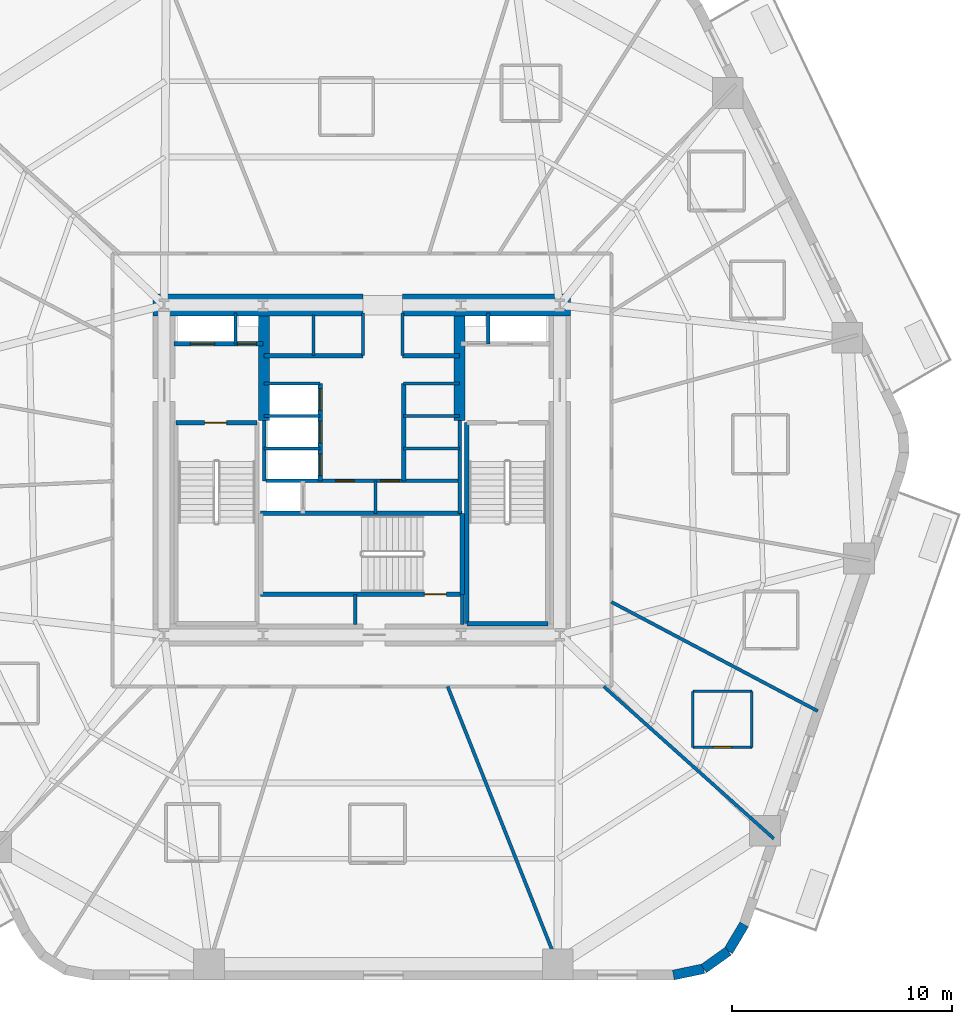
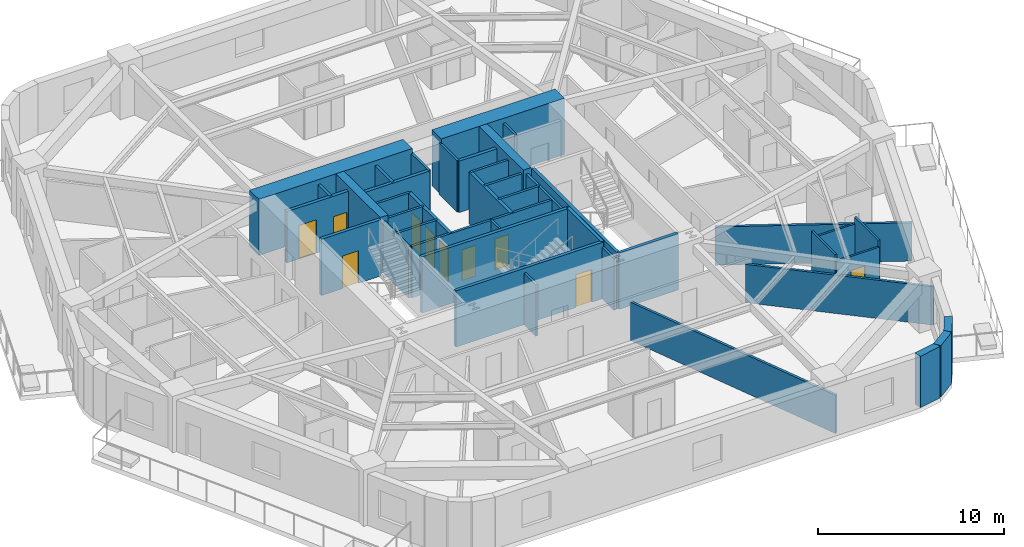
# One storey, part 4 of 10: 42 walls, 10 doors, 10 openings.
"""IFC4 building model written with IfcOpenShell, lengths in metres."""

import ifcopenshell
import ifcopenshell.guid

model = None  # the IFC model being written
_history = None  # IfcOwnerHistory: only IFC2X3 demands one
_inside = {}  # id of a spatial element -> (the spatial element, [elements in it])
_under = {}  # id of a project, library or spatial element -> (it, [spatial elements below it])
_declared = {}  # id of a project -> (the project, [libraries it declares])
_typed = {}  # id of a type object -> (the type object, [elements of that type])
_made_of = {}  # id of a material, layer set ... -> (it, [elements and type objects made of it])


def new_model(schema):
    """Start an empty IFC model of exactly this schema.

    Asked for "IFC4X3", IfcOpenShell would pick the latest addendum, in which some entities
    have other attributes; the version numbers below select the first issue.
    IFC2X3 requires an IfcOwnerHistory on every rooted entity: one is made here for all.
    """
    global model, _history
    if schema == "IFC4X3":
        model = ifcopenshell.file(schema_version=(4, 3, 0, 0))
    else:
        model = ifcopenshell.file(schema=schema)
    _inside.clear()
    _under.clear()
    _declared.clear()
    _typed.clear()
    _made_of.clear()
    _history = None
    if model.schema == "IFC2X3":
        org = make("IfcOrganization", Name="unknown")
        user = make(
            "IfcPersonAndOrganization",
            ThePerson=make("IfcPerson", FamilyName="unknown"),
            TheOrganization=org,
        )
        app = make(
            "IfcApplication",
            ApplicationDeveloper=org,
            Version="unknown",
            ApplicationFullName="unknown",
            ApplicationIdentifier="unknown",
        )
        _history = make(
            "IfcOwnerHistory",
            OwningUser=user,
            OwningApplication=app,
            ChangeAction="ADDED",
            CreationDate=0,
        )
    return model


def make(cls, **values):
    """One entity of the class cls with the attributes given. An attribute that is None is left unset."""
    return model.create_entity(
        cls, **{name: value for name, value in values.items() if value is not None}
    )


def rooted(cls, **values):
    """An entity with a GlobalId (a new one), such as an element, a storey or a relation."""
    return make(cls, GlobalId=ifcopenshell.guid.new(), OwnerHistory=_history, **values)


def si_unit(unit_type, name, prefix=None):
    """IfcSIUnit, for example si_unit("LENGTHUNIT", "METRE", prefix="MILLI")."""
    return make("IfcSIUnit", UnitType=unit_type, Prefix=prefix, Name=name)


def assignment(units):
    """IfcUnitAssignment: the units of a project."""
    return None if units is None else make("IfcUnitAssignment", Units=units)


def point(xyz):
    """IfcCartesianPoint."""
    return None if xyz is None else make("IfcCartesianPoint", Coordinates=xyz)


def direction(xyz):
    """IfcDirection."""
    return None if xyz is None else make("IfcDirection", DirectionRatios=xyz)


def frame(location, z_axis=None, x_axis=None):
    """IfcAxis2Placement3D, a coordinate frame: its origin and axes. An axis left out is left unset."""
    return make(
        "IfcAxis2Placement3D",
        Location=point(location),
        Axis=direction(z_axis),
        RefDirection=direction(x_axis),
    )


def frame_2d(location, x_axis=None):
    """IfcAxis2Placement2D, a coordinate frame in the plane: its origin and x axis."""
    return make(
        "IfcAxis2Placement2D", Location=point(location), RefDirection=direction(x_axis)
    )


def origin():
    """The frame at (0, 0, 0) with its axes left unset."""
    return frame((0.0, 0.0, 0.0))


def place(relative_to, where):
    """IfcLocalPlacement: puts the frame where relative to a parent placement (None: the world)."""
    return make(
        "IfcLocalPlacement", PlacementRelTo=relative_to, RelativePlacement=where
    )


def context(
    kind, dimensions, precision=None, world=None, true_north=None, identifier=None
):
    """IfcGeometricRepresentationContext, for example the 3D "Model" context."""
    return make(
        "IfcGeometricRepresentationContext",
        ContextIdentifier=identifier,
        ContextType=kind,
        CoordinateSpaceDimension=dimensions,
        Precision=precision,
        WorldCoordinateSystem=world,
        TrueNorth=true_north,
    )


def subcontext(parent, identifier, kind, view, scale=None):
    """IfcGeometricRepresentationSubContext, for example "Body" below "Model"."""
    return make(
        "IfcGeometricRepresentationSubContext",
        ContextIdentifier=identifier,
        ContextType=kind,
        ParentContext=parent,
        TargetScale=scale,
        TargetView=view,
    )


def project(units=None, contexts=None):
    """IfcProject with its units and contexts."""
    return rooted(
        "IfcProject",
        Name="project",
        RepresentationContexts=contexts,
        UnitsInContext=assignment(units),
    )


def spatial(cls, under=None, at=None, **own):
    """A site, building, storey or space (cls), placed at a placement, below another one or the project."""
    s = rooted(cls, ObjectPlacement=at, **own)
    if under is not None:
        _under.setdefault(under.id(), (under, []))[1].append(s)
    return s


def profile(cls, at=None, kind="AREA", **sizes):
    """A parametric profile (cls). Its sizes go by their IFC names, for example OverallWidth=200.0."""
    return make(cls, ProfileType=kind, Position=at, **sizes)


def rectangle(**sizes):
    """IfcRectangleProfileDef."""
    return profile("IfcRectangleProfileDef", **sizes)


def extrude(swept, where, along, depth):
    """IfcExtrudedAreaSolid: the profile swept, set in the frame where, extruded along a direction by depth."""
    return make(
        "IfcExtrudedAreaSolid",
        SweptArea=swept,
        Position=where,
        ExtrudedDirection=direction(along),
        Depth=depth,
    )


def shape(context_of_items, identifier, shape_type, items):
    """IfcShapeRepresentation: the items that make up one representation, for example the "Body"."""
    return make(
        "IfcShapeRepresentation",
        ContextOfItems=context_of_items,
        RepresentationIdentifier=identifier,
        RepresentationType=shape_type,
        Items=items,
    )


def material(Name=None, Category=None):
    """IfcMaterial."""
    return make("IfcMaterial", Name=Name, Category=Category)


def layer(
    of_material, thickness, ventilated=None, Name=None, Category=None, Priority=None
):
    """IfcMaterialLayer: one layer of a wall or slab, of a material (None: an air gap)."""
    return make(
        "IfcMaterialLayer",
        Material=of_material,
        LayerThickness=thickness,
        IsVentilated=ventilated,
        Name=Name,
        Category=Category,
        Priority=Priority,
    )


def layer_set(layers, Name=None):
    """IfcMaterialLayerSet."""
    return make("IfcMaterialLayerSet", MaterialLayers=layers, LayerSetName=Name)


def made_of(thing, what):
    """Note that an element or type object is made of a material, layer set ...; save() writes the relation."""
    if what is not None:
        _made_of.setdefault(what.id(), (what, []))[1].append(thing)
    return thing


def type_object(cls, material=None, **own):
    """A type object (cls), such as IfcWallType, which elements share."""
    return made_of(rooted(cls, **own), material)


def element(
    cls,
    number,
    at=None,
    inside=None,
    cuts=None,
    type_object=None,
    material=None,
    context=None,
    identifier="Body",
    shape_type=None,
    held_by="IfcProductDefinitionShape",
    body=None,
    shapes=None,
    **own,
):
    """One element of the class cls, such as IfcWall. Its Tag is "e" and its number.

    at: its placement. inside: the storey or other place that contains it. cuts: it is an
    opening in that element (IfcRelVoidsElement). A single representation is given by context,
    identifier, shape_type and body (its items); several are given by shapes. held_by: the class
    of the entity that holds the representations. save() writes the other relations.
    """
    e = rooted(cls, Tag="e%d" % number, ObjectPlacement=at, **own)
    if body is not None:
        shapes = [shape(context, identifier, shape_type, body)]
    if shapes is not None:
        e.Representation = make(held_by, Representations=shapes)
    if inside is not None:
        _inside.setdefault(inside.id(), (inside, []))[1].append(e)
    if cuts is not None:
        rooted(
            "IfcRelVoidsElement", RelatingBuildingElement=cuts, RelatedOpeningElement=e
        )
    if type_object is not None:
        _typed.setdefault(type_object.id(), (type_object, []))[1].append(e)
    return made_of(e, material)


def fill(opening, filler):
    """IfcRelFillsElement: the door or window that sits in an opening."""
    return rooted(
        "IfcRelFillsElement",
        RelatingOpeningElement=opening,
        RelatedBuildingElement=filler,
    )


def aggregate(whole, parts):
    """IfcRelAggregates: a whole, such as a stair, and the parts it consists of."""
    return rooted("IfcRelAggregates", RelatingObject=whole, RelatedObjects=parts)


def save(model, path):
    """Write the relations noted so far, then the file.

    IfcRelAggregates (storeys below a building ...), IfcRelContainedInSpatialStructure (elements
    in a storey), IfcRelDefinesByType, IfcRelAssociatesMaterial and IfcRelDeclares: one each for
    every whole, place, type object, material and project.
    """
    for whole, parts in _under.values():
        aggregate(whole, parts)
    for where, things in _inside.values():
        rooted(
            "IfcRelContainedInSpatialStructure",
            RelatedElements=things,
            RelatingStructure=where,
        )
    for kind, things in _typed.values():
        rooted("IfcRelDefinesByType", RelatedObjects=things, RelatingType=kind)
    for what, things in _made_of.values():
        rooted("IfcRelAssociatesMaterial", RelatedObjects=things, RelatingMaterial=what)
    for by, libraries in _declared.values():
        rooted("IfcRelDeclares", RelatingContext=by, RelatedDefinitions=libraries)
    model.write(path)


model = new_model("IFC4")

# Units and contexts
model_context = context("Model", 3, precision=1e-05, world=origin(), true_north=direction((0.0, 1.0)))
body_context = subcontext(model_context, "Body", "Model", "MODEL_VIEW")
ifc_project = project(units=[si_unit("LENGTHUNIT", "METRE"), si_unit("AREAUNIT", "SQUARE_METRE"), si_unit("VOLUMEUNIT", "CUBIC_METRE"), si_unit("PLANEANGLEUNIT", "RADIAN"), si_unit("MASSUNIT", "GRAM", prefix="KILO")], contexts=[model_context])

# Site, building, storey
site_placement = place(None, origin())
site = spatial("IfcSite", under=ifc_project, at=site_placement, CompositionType="ELEMENT")
building_placement = place(site_placement, origin())
building = spatial("IfcBuilding", under=site, at=building_placement, Name="Kilnhurst Terrace Hotel", CompositionType="ELEMENT")
storey_placement = place(building_placement, frame((0.0, 0.0, 82.300048828125)))
storey = spatial("IfcBuildingStorey", under=building, at=storey_placement, Name="L19", CompositionType="ELEMENT", Elevation=82.300048828125)

# Walls
ifc_material_1 = material(Name="Precast concrete C40/50", Category="concrete")
ifc_layer_1 = layer(ifc_material_1, 0.449951171875, Name="Precast concrete C40/50")
ifc_layer_set_1 = layer_set([ifc_layer_1], Name="Precast concrete C40/50")
wall_type_1 = type_object("IfcWallType", Name="WL-BRK-450", PredefinedType="SOLIDWALL", material=ifc_layer_set_1)
wall_1_placement = place(storey_placement, frame((14.168212890625, -22.97509765625, 0.0), z_axis=(0.0, 0.0, 1.0), x_axis=(0.978770371074, 0.204959900243, 0.0)))
element("IfcWall", 1, at=wall_1_placement, inside=storey, type_object=wall_type_1, Name="L19 Rounded Corner Brick Wall C2.1", PredefinedType="SOLIDWALL", context=body_context, shape_type="SweptSolid", body=[
    extrude(rectangle(XDim=1.405517578125, YDim=0.449951171875, at=frame_2d((0.70263671875, 0.0))), origin(), (0.0, 0.0, 1.0), 3.3798828125),
])
wall_2_placement = place(storey_placement, frame((15.5439453125, -22.68701171875, 0.0), z_axis=(0.0, 0.0, 1.0), x_axis=(0.814210854316, 0.580569276412, 0.0)))
element("IfcWall", 2, at=wall_2_placement, inside=storey, type_object=wall_type_1, Name="L19 Rounded Corner Brick Wall C2.2", PredefinedType="SOLIDWALL", context=body_context, shape_type="SweptSolid", body=[
    extrude(rectangle(XDim=1.38134765625, YDim=0.449951171875, at=frame_2d((0.690673828125, 0.0))), origin(), (0.0, 0.0, 1.0), 3.3798828125),
])
wall_3_placement = place(storey_placement, frame((16.668701171875, -21.885009765625, 0.0), z_axis=(0.0, 0.0, 1.0), x_axis=(0.512936712947, 0.858426425799, 0.0)))
element("IfcWall", 3, at=wall_3_placement, inside=storey, type_object=wall_type_1, Name="L19 Rounded Corner Brick Wall C2.3", PredefinedType="SOLIDWALL", context=body_context, shape_type="SweptSolid", body=[
    extrude(rectangle(XDim=1.405517578125, YDim=0.449951171875, at=frame_2d((0.70263671875, 0.0))), origin(), (0.0, 0.0, 1.0), 3.3798828125),
])
ifc_material_2 = material(Name="Concrete C80/95", Category="concrete")
ifc_layer_2 = layer(ifc_material_2, 1.0, Name="Concrete C80/95")
ifc_layer_set_2 = layer_set([ifc_layer_2], Name="Concrete C80/95")
wall_type_2 = type_object("IfcWallType", Name="WL-CORE-1000", PredefinedType="SHEAR", material=ifc_layer_set_2)
wall_4_placement = place(storey_placement, frame((-9.5, 7.5, 0.0), z_axis=(0.0, 0.0, 1.0), x_axis=(1.0, 0.0, 0.0)))
element("IfcWall", 4, at=wall_4_placement, inside=storey, type_object=wall_type_2, Name="L19 Core North West Shear Wall", PredefinedType="SHEAR", context=body_context, shape_type="SweptSolid", body=[
    extrude(rectangle(XDim=9.550048828125, YDim=1.0, at=frame_2d((4.77490234375, 0.0))), origin(), (0.0, 0.0, 1.0), 3.699951171875),
])
wall_5_placement = place(storey_placement, frame((1.85009765625, 7.5, 0.0), z_axis=(0.0, 0.0, 1.0), x_axis=(1.0, 0.0, 0.0)))
element("IfcWall", 5, at=wall_5_placement, inside=storey, type_object=wall_type_2, Name="L19 Core North East Shear Wall", PredefinedType="SHEAR", context=body_context, shape_type="SweptSolid", body=[
    extrude(rectangle(XDim=7.64990234375, YDim=1.0, at=frame_2d((3.824951171875, 0.0))), origin(), (0.0, 0.0, 1.0), 3.699951171875),
])
ifc_material_3 = material(Name="Concrete C60/75", Category="concrete")
ifc_layer_3 = layer(ifc_material_3, 0.5, Name="Concrete C60/75")
ifc_layer_set_3 = layer_set([ifc_layer_3], Name="Concrete C60/75")
wall_type_3 = type_object("IfcWallType", Name="WL-CORE-WEB-500", PredefinedType="SHEAR", material=ifc_layer_set_3)
for number, where, z_axis, x_axis, name in (
    (6, (-4.449951171875, 2.25, 0.0), (0.0, 0.0, 1.0), (0.0, 1.0, 0.0), "L19 Core Internal West Shear Web"),
    (7, (4.449951171875, 2.25, 0.0), (0.0, 0.0, 1.0), (0.0, 1.0, 0.0), "L19 Core Internal East Shear Web"),
):
    element("IfcWall", number, at=place(storey_placement, frame(where, z_axis=z_axis, x_axis=x_axis)), inside=storey, type_object=wall_type_3, Name=name, PredefinedType="SHEAR", context=body_context, shape_type="SweptSolid", body=[
        extrude(rectangle(XDim=4.75, YDim=0.5, at=frame_2d((2.375, 0.0))), origin(), (0.0, 0.0, 1.0), 3.699951171875),
    ])
ifc_material_4 = material(Name="STC-58 Acoustic Twin-Frame Guestroom Demising Partition")
ifc_layer_4 = layer(ifc_material_4, 0.14990234375, Name="STC-58 Acoustic Twin-Frame Guestroom Demising Partition")
ifc_layer_set_4 = layer_set([ifc_layer_4], Name="STC-58 Acoustic Twin-Frame Guestroom Demising Partition")
wall_type_4 = type_object("IfcWallType", Name="WL-DEM-150", PredefinedType="PARTITIONING", material=ifc_layer_set_4)
wall_6_placement = place(storey_placement, frame((3.90185546875, -9.85009765625, 0.0), z_axis=(0.0, 0.0, 1.0), x_axis=(0.36828765711, -0.929711891728, 0.0)))
element("IfcWall", 8, at=wall_6_placement, inside=storey, type_object=wall_type_4, Name="L19 Interior Wall WL-L19-DEM-COL10-15-1", PredefinedType="PARTITIONING", context=body_context, shape_type="SweptSolid", body=[
    extrude(rectangle(XDim=14.1171875, YDim=0.14990234375, at=frame_2d((7.05859375, 0.0))), origin(), (0.0, 0.0, 1.0), 2.52001953125),
])
wall_7_placement = place(storey_placement, frame((11.006591796875, -9.85009765625, 0.0), z_axis=(0.0, 0.0, 1.0), x_axis=(0.745177305978, -0.666866390407, 0.0)))
element("IfcWall", 9, at=wall_7_placement, inside=storey, type_object=wall_type_4, Name="L19 Interior Wall WL-L19-DEM-COL11-16-1", PredefinedType="PARTITIONING", context=body_context, shape_type="SweptSolid", body=[
    extrude(rectangle(XDim=10.375244140625, YDim=0.14990234375, at=frame_2d((5.1875, 0.0))), origin(), (0.0, 0.0, 1.0), 2.52001953125),
])
wall_8_placement = place(storey_placement, frame((11.35009765625, -6.00146484375, 0.0), z_axis=(0.0, 0.0, 1.0), x_axis=(0.884022077319, -0.467445148453, 0.0)))
element("IfcWall", 10, at=wall_8_placement, inside=storey, type_object=wall_type_4, Name="L19 Interior Wall WL-L19-DEM-MID11-17-1", PredefinedType="PARTITIONING", context=body_context, shape_type="SweptSolid", body=[
    extrude(rectangle(XDim=10.621337890625, YDim=0.14990234375, at=frame_2d((5.310546875, 0.0))), origin(), (0.0, 0.0, 1.0), 2.52001953125),
])
ifc_material_5 = material(Name="120 mm Moisture-Resistant Tile-Backed Bathroom Partition")
ifc_layer_5 = layer(ifc_material_5, 0.1201171875, Name="120 mm Moisture-Resistant Tile-Backed Bathroom Partition")
ifc_layer_set_5 = layer_set([ifc_layer_5], Name="120 mm Moisture-Resistant Tile-Backed Bathroom Partition")
wall_type_5 = type_object("IfcWallType", Name="WL-PART-120", PredefinedType="PARTITIONING", material=ifc_layer_set_5)
wall_9_placement = place(storey_placement, frame((0.6201171875, -1.971923828125, 0.0), z_axis=(0.0, 0.0, 1.0), x_axis=(0.0, 1.0, 0.0)))
element("IfcWall", 11, at=wall_9_placement, inside=storey, type_object=wall_type_5, Name="L19 Interior Wall WL-L19-BOH-C1", PredefinedType="PARTITIONING", context=body_context, shape_type="SweptSolid", body=[
    extrude(rectangle(XDim=1.471923828125, YDim=0.1201171875, at=frame_2d((0.73583984375, 0.0))), origin(), (0.0, 0.0, 1.0), 3.3798828125),
])

# Wall, opening, door
wall_10_placement = place(storey_placement, frame((15.05810546875, -12.612060546875, 0.0), z_axis=(0.0, 0.0, 1.0), x_axis=(1.0, 0.0, 0.0)))
wall_10 = element("IfcWall", 12, at=wall_10_placement, inside=storey, type_object=wall_type_5, Name="L19 Interior Wall WL-L19-BTH-16-1", PredefinedType="PARTITIONING", context=body_context, shape_type="SweptSolid", body=[
    extrude(rectangle(XDim=2.679931640625, YDim=0.1201171875, at=frame_2d((1.33984375, 0.0))), origin(), (0.0, 0.0, 1.0), 2.9521484375),
])
opening_1_placement = place(wall_10_placement, frame((0.9150390625, 0.0, 0.0)))
opening_1 = element("IfcOpeningElement", 13, at=opening_1_placement, cuts=wall_10, Name="Opening D-08A", PredefinedType="OPENING", context=body_context, shape_type="SweptSolid", body=[
    extrude(rectangle(XDim=0.85009765625, YDim=2.030029296875, at=frame_2d((0.425048828125, 1.01513671875))), frame((0.0, 0.070068359375, 0.0), z_axis=(0.0, -1.0, 0.0), x_axis=(1.0, 0.0, 0.0)), (0.0, 0.0, 1.0), 0.14013671875),
])
ifc_material_6 = material(Name="Moisture-Resistant Lacquered En-suite Bathroom Door")
door_type_1 = type_object("IfcDoorType", Name="DR-INT-850", OperationType="NOTDEFINED", PredefinedType="DOOR", material=ifc_material_6)
door_1_placement = place(opening_1_placement, origin())
door_1 = element("IfcDoor", 14, at=door_1_placement, inside=storey, type_object=door_type_1, Name="L19 En-suite Bathroom Door 16", OperationType="SINGLE_SWING_LEFT", OverallHeight=2.030029296875, OverallWidth=0.85009765625, PredefinedType="DOOR", context=body_context, shape_type="SweptSolid", body=[
    extrude(rectangle(XDim=0.85009765625, YDim=2.030029296875, at=frame_2d((0.425048828125, 1.01513671875))), frame((0.0, 0.02490234375, 0.0), z_axis=(0.0, -1.0, 0.0), x_axis=(1.0, 0.0, 0.0)), (0.0, 0.0, 1.0), 0.050048828125),
])
fill(opening_1, door_1)

# Walls
wall_11_placement = place(storey_placement, frame((17.738037109375, -12.612060546875, 0.0), z_axis=(0.0, 0.0, 1.0), x_axis=(0.0, 1.0, 0.0)))
element("IfcWall", 15, at=wall_11_placement, inside=storey, type_object=wall_type_5, Name="L19 Interior Wall WL-L19-BTH-16-2", PredefinedType="PARTITIONING", context=body_context, shape_type="SweptSolid", body=[
    extrude(rectangle(XDim=2.5400390625, YDim=0.1201171875, at=frame_2d((1.27001953125, 0.0))), origin(), (0.0, 0.0, 1.0), 3.3798828125),
])
wall_12_placement = place(storey_placement, frame((17.738037109375, -10.072021484375, 0.0), z_axis=(0.0, 0.0, 1.0), x_axis=(-1.0, 0.0, 0.0)))
element("IfcWall", 16, at=wall_12_placement, inside=storey, type_object=wall_type_5, Name="L19 Interior Wall WL-L19-BTH-16-3", PredefinedType="PARTITIONING", context=body_context, shape_type="SweptSolid", body=[
    extrude(rectangle(XDim=2.679931640625, YDim=0.1201171875, at=frame_2d((1.33984375, 0.0))), origin(), (0.0, 0.0, 1.0), 2.9521484375),
])
wall_13_placement = place(storey_placement, frame((15.05810546875, -10.072021484375, 0.0), z_axis=(0.0, 0.0, 1.0), x_axis=(0.0, -1.0, 0.0)))
element("IfcWall", 17, at=wall_13_placement, inside=storey, type_object=wall_type_5, Name="L19 Interior Wall WL-L19-BTH-16-4", PredefinedType="PARTITIONING", context=body_context, shape_type="SweptSolid", body=[
    extrude(rectangle(XDim=2.5400390625, YDim=0.1201171875, at=frame_2d((1.27001953125, 0.0))), origin(), (0.0, 0.0, 1.0), 3.3798828125),
])
ifc_material_7 = material(Name="Fire-Rated Gypsum Shaftliner Assembly")
ifc_layer_6 = layer(ifc_material_7, 0.14990234375, Name="Fire-Rated Gypsum Shaftliner Assembly")
ifc_layer_set_6 = layer_set([ifc_layer_6], Name="Fire-Rated Gypsum Shaftliner Assembly")
wall_type_6 = type_object("IfcWallType", Name="WL-SHAFT-150", PredefinedType="PARTITIONING", material=ifc_layer_set_6)
for number, where, z_axis, x_axis, name in (
    (18, (-0.300048828125, -7.02001953125, 0.0), (0.0, 0.0, 1.0), (0.0, 1.0, 0.0), "L19 Interior Wall WL-L19-ST3-PSGW"),
    (19, (4.55810546875, -7.02001953125, 0.0), (0.0, 0.0, 1.0), (0.0, 1.0, 0.0), "L19 Interior Wall WL-L19-ST3-PSGE"),
):
    element("IfcWall", number, at=place(storey_placement, frame(where, z_axis=z_axis, x_axis=x_axis)), inside=storey, type_object=wall_type_6, Name=name, PredefinedType="PARTITIONING", context=body_context, shape_type="SweptSolid", body=[
        extrude(rectangle(XDim=1.362060546875, YDim=0.14990234375, at=frame_2d((0.68115234375, 0.0))), origin(), (0.0, 0.0, 1.0), 3.3798828125),
    ])
for number, where, z_axis, x_axis, name in (
    (20, (-5.75, 5.739990234375, 0.0), (0.0, 0.0, 1.0), (0.0, 1.0, 0.0), "L19 Interior Wall WL-L19-RIS1-DIV"),
    (21, (5.75, 5.739990234375, 0.0), (0.0, 0.0, 1.0), (0.0, 1.0, 0.0), "L19 Interior Wall WL-L19-RIS2-DIV"),
):
    element("IfcWall", number, at=place(storey_placement, frame(where, z_axis=z_axis, x_axis=x_axis)), inside=storey, type_object=wall_type_6, Name=name, PredefinedType="PARTITIONING", context=body_context, shape_type="SweptSolid", body=[
        extrude(rectangle(XDim=1.409912109375, YDim=0.14990234375, at=frame_2d((0.705078125, 0.0))), origin(), (0.0, 0.0, 1.0), 3.3798828125),
    ])
wall_14_placement = place(storey_placement, frame((-2.199951171875, 5.199951171875, 0.0), z_axis=(0.0, 0.0, 1.0), x_axis=(0.0, 1.0, 0.0)))
element("IfcWall", 22, at=wall_14_placement, inside=storey, type_object=wall_type_6, Name="L19 Interior Wall WL-L19-HR-DIV1", PredefinedType="PARTITIONING", context=body_context, shape_type="SweptSolid", body=[
    extrude(rectangle(XDim=1.85009765625, YDim=0.14990234375, at=frame_2d((0.925048828125, 0.0))), origin(), (0.0, 0.0, 1.0), 3.3798828125),
])
for number, where, z_axis, x_axis, name in (
    (23, (0.050048828125, 5.199951171875, 0.0), (0.0, 0.0, 1.0), (0.0, 1.0, 0.0), "L19 Interior Wall WL-L19-HR-PORTAL-W"),
    (24, (1.85009765625, 5.199951171875, 0.0), (0.0, 0.0, 1.0), (0.0, 1.0, 0.0), "L19 Interior Wall WL-L19-HR-PORTAL-E"),
):
    element("IfcWall", number, at=place(storey_placement, frame(where, z_axis=z_axis, x_axis=x_axis)), inside=storey, type_object=wall_type_6, Name=name, PredefinedType="PARTITIONING", context=body_context, shape_type="SweptSolid", body=[
        extrude(rectangle(XDim=1.949951171875, YDim=0.14990234375, at=frame_2d((0.97509765625, 0.0))), origin(), (0.0, 0.0, 1.0), 3.3798828125),
    ])
wall_15_placement = place(storey_placement, frame((-4.449951171875, -0.5, 0.0), z_axis=(0.0, 0.0, 1.0), x_axis=(0.0, 1.0, 0.0)))
element("IfcWall", 25, at=wall_15_placement, inside=storey, type_object=wall_type_6, Name="L19 Interior Wall WL-L19-XLOB-W", PredefinedType="PARTITIONING", context=body_context, shape_type="SweptSolid", body=[
    extrude(rectangle(XDim=2.75, YDim=0.14990234375, at=frame_2d((1.375, 0.0))), origin(), (0.0, 0.0, 1.0), 3.3798828125),
])
wall_16_placement = place(storey_placement, frame((4.449951171875, -1.971923828125, 0.0), z_axis=(0.0, 0.0, 1.0), x_axis=(0.0, 1.0, 0.0)))
element("IfcWall", 26, at=wall_16_placement, inside=storey, type_object=wall_type_6, Name="L19 Interior Wall WL-L19-XLOB-E", PredefinedType="PARTITIONING", context=body_context, shape_type="SweptSolid", body=[
    extrude(rectangle(XDim=4.221923828125, YDim=0.14990234375, at=frame_2d((2.11083984375, 0.0))), origin(), (0.0, 0.0, 1.0), 3.3798828125),
])
for number, where, z_axis, x_axis, name in (
    (27, (-4.449951171875, 3.93994140625, 0.0), (0.0, 0.0, 1.0), (1.0, 0.0, 0.0), "L19 Interior Wall WL-L19-LR-NORTH"),
    (28, (-4.449951171875, 0.97998046875, 0.0), (0.0, 0.0, 1.0), (1.0, 0.0, 0.0), "L19 Interior Wall WL-L19-LR-D1"),
    (29, (-4.449951171875, 2.4599609375, 0.0), (0.0, 0.0, 1.0), (1.0, 0.0, 0.0), "L19 Interior Wall WL-L19-LR-D2"),
    (30, (1.89990234375, 3.93994140625, 0.0), (0.0, 0.0, 1.0), (1.0, 0.0, 0.0), "L19 Interior Wall WL-L19-MR-NORTH"),
    (31, (1.89990234375, 0.97998046875, 0.0), (0.0, 0.0, 1.0), (1.0, 0.0, 0.0), "L19 Interior Wall WL-L19-MR-D1"),
    (32, (1.89990234375, 2.4599609375, 0.0), (0.0, 0.0, 1.0), (1.0, 0.0, 0.0), "L19 Interior Wall WL-L19-MR-D2"),
):
    element("IfcWall", number, at=place(storey_placement, frame(where, z_axis=z_axis, x_axis=x_axis)), inside=storey, type_object=wall_type_6, Name=name, PredefinedType="PARTITIONING", context=body_context, shape_type="SweptSolid", body=[
        extrude(rectangle(XDim=2.550048828125, YDim=0.14990234375, at=frame_2d((1.27490234375, 0.0))), origin(), (0.0, 0.0, 1.0), 3.3798828125),
    ])

# Wall, openings, doors
wall_17_placement = place(storey_placement, frame((-4.360107421875, -0.489990234375, 0.0), z_axis=(0.0, 0.0, 1.0), x_axis=(1.0, 0.0, 0.0)))
wall_17 = element("IfcWall", 33, at=wall_17_placement, inside=storey, type_object=wall_type_6, Name="L19 Interior Wall WL-L19-BOH-N", PredefinedType="PARTITIONING", context=body_context, shape_type="SweptSolid", body=[
    extrude(rectangle(XDim=8.72021484375, YDim=0.14990234375, at=frame_2d((4.360107421875, 0.0))), origin(), (0.0, 0.0, 1.0), 3.3798828125),
])
opening_2_placement = place(wall_17_placement, frame((3.159912109375, 0.0, 0.0)))
opening_2 = element("IfcOpeningElement", 34, at=opening_2_placement, cuts=wall_17, Name="Opening D-60D", PredefinedType="OPENING", context=body_context, shape_type="SweptSolid", body=[
    extrude(rectangle(XDim=0.85009765625, YDim=2.030029296875, at=frame_2d((0.425048828125, 1.01513671875))), frame((0.0, 0.0849609375, 0.0), z_axis=(0.0, -1.0, 0.0), x_axis=(1.0, 0.0, 0.0)), (0.0, 0.0, 1.0), 0.169921875),
])
opening_3_placement = place(wall_17_placement, frame((5.2099609375, 0.0, 0.0)))
opening_3 = element("IfcOpeningElement", 35, at=opening_3_placement, cuts=wall_17, Name="Opening D-60D", PredefinedType="OPENING", context=body_context, shape_type="SweptSolid", body=[
    extrude(rectangle(XDim=0.85009765625, YDim=2.030029296875, at=frame_2d((0.425048828125, 1.01513671875))), frame((0.0, 0.0849609375, 0.0), z_axis=(0.0, -1.0, 0.0), x_axis=(1.0, 0.0, 0.0)), (0.0, 0.0, 1.0), 0.169921875),
])
ifc_material_8 = material(Name="Painted Hollow Metal Steel ASTM A36 Riser Door", Category="steel")
door_type_2 = type_object("IfcDoorType", Name="DR-FD60-850", OperationType="NOTDEFINED", PredefinedType="DOOR", material=ifc_material_8)
door_2_placement = place(opening_2_placement, origin())
door_2 = element("IfcDoor", 36, at=door_2_placement, inside=storey, type_object=door_type_2, Name="L19 Housekeeping Laundry Door", OperationType="SINGLE_SWING_LEFT", OverallHeight=2.030029296875, OverallWidth=0.85009765625, PredefinedType="DOOR", context=body_context, shape_type="SweptSolid", body=[
    extrude(rectangle(XDim=0.85009765625, YDim=2.030029296875, at=frame_2d((0.425048828125, 1.01513671875))), frame((0.0, 0.02490234375, 0.0), z_axis=(0.0, -1.0, 0.0), x_axis=(1.0, 0.0, 0.0)), (0.0, 0.0, 1.0), 0.050048828125),
])
fill(opening_2, door_2)
door_3_placement = place(opening_3_placement, origin())
door_3 = element("IfcDoor", 37, at=door_3_placement, inside=storey, type_object=door_type_2, Name="L19 Room Service Kitchen Door", OperationType="SINGLE_SWING_RIGHT", OverallHeight=2.030029296875, OverallWidth=0.85009765625, PredefinedType="DOOR", context=body_context, shape_type="SweptSolid", body=[
    extrude(rectangle(XDim=0.85009765625, YDim=2.030029296875, at=frame_2d((0.425048828125, 1.01513671875))), frame((0.0, 0.02490234375, 0.0), z_axis=(0.0, -1.0, 0.0), x_axis=(1.0, 0.0, 0.0)), (0.0, 0.0, 1.0), 0.050048828125),
])
fill(opening_3, door_3)

ifc_material_9 = material(Name="Autoclaved Aerated Concrete C30/37 and Gypsum Shaft Assembly", Category="concrete")
ifc_layer_7 = layer(ifc_material_9, 0.199951171875, Name="Autoclaved Aerated Concrete C30/37 and Gypsum Shaft Assembly")
ifc_layer_set_7 = layer_set([ifc_layer_7], Name="Autoclaved Aerated Concrete C30/37 and Gypsum Shaft Assembly")
wall_type_7 = type_object("IfcWallType", Name="WL-SHAFT-200", PredefinedType="PARTITIONING", material=ifc_layer_set_7)
wall_18_placement = place(storey_placement, frame((-8.550048828125, 5.739990234375, 0.0), z_axis=(0.0, 0.0, 1.0), x_axis=(1.0, 0.0, 0.0)))
wall_18 = element("IfcWall", 38, at=wall_18_placement, inside=storey, type_object=wall_type_7, Name="L19 Interior Wall WL-L19-FSAE1-S", PredefinedType="PARTITIONING", context=body_context, shape_type="SweptSolid", body=[
    extrude(rectangle(XDim=4.050048828125, YDim=0.199951171875, at=frame_2d((2.02490234375, 0.0))), origin(), (0.0, 0.0, 1.0), 3.3798828125),
])
opening_4_placement = place(wall_18_placement, frame((0.75, 0.0, 0.0)))
opening_4 = element("IfcOpeningElement", 39, at=opening_4_placement, cuts=wall_18, Name="Opening LD-F1", PredefinedType="OPENING", context=body_context, shape_type="SweptSolid", body=[
    extrude(rectangle(XDim=1.10009765625, YDim=2.199951171875, at=frame_2d((0.550048828125, 1.10009765625))), frame((0.0, 0.10986328125, 0.0), z_axis=(0.0, -1.0, 0.0), x_axis=(1.0, 0.0, 0.0)), (0.0, 0.0, 1.0), 0.219970703125),
])
opening_5_placement = place(wall_18_placement, frame((2.89990234375, 0.0, 0.0)))
opening_5 = element("IfcOpeningElement", 40, at=opening_5_placement, cuts=wall_18, Name="Opening D-60D", PredefinedType="OPENING", context=body_context, shape_type="SweptSolid", body=[
    extrude(rectangle(XDim=0.85009765625, YDim=2.030029296875, at=frame_2d((0.425048828125, 1.01513671875))), frame((0.0, 0.10986328125, 0.0), z_axis=(0.0, -1.0, 0.0), x_axis=(1.0, 0.0, 0.0)), (0.0, 0.0, 1.0), 0.219970703125),
])
door_4_placement = place(opening_5_placement, origin())
door_4 = element("IfcDoor", 41, at=door_4_placement, inside=storey, type_object=door_type_2, Name="L19 Electrical Riser Door", OperationType="SINGLE_SWING_LEFT", OverallHeight=2.030029296875, OverallWidth=0.85009765625, PredefinedType="DOOR", context=body_context, shape_type="SweptSolid", body=[
    extrude(rectangle(XDim=0.85009765625, YDim=2.030029296875, at=frame_2d((0.425048828125, 1.01513671875))), frame((0.0, 0.02490234375, 0.0), z_axis=(0.0, -1.0, 0.0), x_axis=(1.0, 0.0, 0.0)), (0.0, 0.0, 1.0), 0.050048828125),
])
fill(opening_5, door_4)
ifc_material_10 = material(Name="Bronze-Anodized Stainless Steel AISI 316L Sliding Door", Category="steel")
door_type_3 = type_object("IfcDoorType", Name="DR-LIFT-1100", OperationType="NOTDEFINED", PredefinedType="DOOR", material=ifc_material_10)
door_5_placement = place(opening_4_placement, origin())
door_5 = element("IfcDoor", 42, at=door_5_placement, inside=storey, type_object=door_type_3, Name="L19 FSAE-1 Landing Door", OperationType="SLIDING_TO_LEFT", OverallHeight=2.199951171875, OverallWidth=1.10009765625, PredefinedType="DOOR", context=body_context, shape_type="SweptSolid", body=[
    extrude(rectangle(XDim=1.10009765625, YDim=2.199951171875, at=frame_2d((0.550048828125, 1.10009765625))), frame((0.0, 0.02490234375, 0.0), z_axis=(0.0, -1.0, 0.0), x_axis=(1.0, 0.0, 0.0)), (0.0, 0.0, 1.0), 0.050048828125),
])
fill(opening_4, door_5)

# Walls
wall_19_placement = place(storey_placement, frame((-4.449951171875, 5.199951171875, 0.0), z_axis=(0.0, 0.0, 1.0), x_axis=(1.0, 0.0, 0.0)))
element("IfcWall", 43, at=wall_19_placement, inside=storey, type_object=wall_type_7, Name="L19 Interior Wall WL-L19-HR-SW", PredefinedType="PARTITIONING", context=body_context, shape_type="SweptSolid", body=[
    extrude(rectangle(XDim=4.5, YDim=0.199951171875, at=frame_2d((2.25, 0.0))), origin(), (0.0, 0.0, 1.0), 3.3798828125),
])
wall_20_placement = place(storey_placement, frame((1.85009765625, 5.199951171875, 0.0), z_axis=(0.0, 0.0, 1.0), x_axis=(1.0, 0.0, 0.0)))
element("IfcWall", 44, at=wall_20_placement, inside=storey, type_object=wall_type_7, Name="L19 Interior Wall WL-L19-HR-SE", PredefinedType="PARTITIONING", context=body_context, shape_type="SweptSolid", body=[
    extrude(rectangle(XDim=2.599853515625, YDim=0.199951171875, at=frame_2d((1.2998046875, 0.0))), origin(), (0.0, 0.0, 1.0), 3.3798828125),
])

# Wall, openings, doors
wall_21_placement = place(storey_placement, frame((-1.89990234375, -0.5, 0.0), z_axis=(0.0, 0.0, 1.0), x_axis=(0.0, 1.0, 0.0)))
wall_21 = element("IfcWall", 45, at=wall_21_placement, inside=storey, type_object=wall_type_7, Name="L19 Interior Wall WL-L19-LR-FRONT", PredefinedType="PARTITIONING", context=body_context, shape_type="SweptSolid", body=[
    extrude(rectangle(XDim=4.43994140625, YDim=0.199951171875, at=frame_2d((2.219970703125, 0.0))), origin(), (0.0, 0.0, 1.0), 3.3798828125),
])
opening_6_placement = place(wall_21_placement, frame((0.239990234375, 0.0, 0.0)))
opening_6 = element("IfcOpeningElement", 46, at=opening_6_placement, cuts=wall_21, Name="Opening LD-LR", PredefinedType="OPENING", context=body_context, shape_type="SweptSolid", body=[
    extrude(rectangle(XDim=1.0, YDim=2.199951171875, at=frame_2d((0.5, 1.10009765625))), frame((0.0, 0.10986328125, 0.0), z_axis=(0.0, -1.0, 0.0), x_axis=(1.0, 0.0, 0.0)), (0.0, 0.0, 1.0), 0.219970703125),
])
opening_7_placement = place(wall_21_placement, frame((1.719970703125, 0.0, 0.0)))
opening_7 = element("IfcOpeningElement", 47, at=opening_7_placement, cuts=wall_21, Name="Opening LD-LR", PredefinedType="OPENING", context=body_context, shape_type="SweptSolid", body=[
    extrude(rectangle(XDim=1.0, YDim=2.199951171875, at=frame_2d((0.5, 1.10009765625))), frame((0.0, 0.10986328125, 0.0), z_axis=(0.0, -1.0, 0.0), x_axis=(1.0, 0.0, 0.0)), (0.0, 0.0, 1.0), 0.219970703125),
])
opening_8_placement = place(wall_21_placement, frame((3.199951171875, 0.0, 0.0)))
opening_8 = element("IfcOpeningElement", 48, at=opening_8_placement, cuts=wall_21, Name="Opening LD-LR", PredefinedType="OPENING", context=body_context, shape_type="SweptSolid", body=[
    extrude(rectangle(XDim=1.0, YDim=2.199951171875, at=frame_2d((0.5, 1.10009765625))), frame((0.0, 0.10986328125, 0.0), z_axis=(0.0, -1.0, 0.0), x_axis=(1.0, 0.0, 0.0)), (0.0, 0.0, 1.0), 0.219970703125),
])
door_type_4 = type_object("IfcDoorType", Name="DR-LIFT-1000", OperationType="NOTDEFINED", PredefinedType="DOOR", material=ifc_material_10)
door_6_placement = place(opening_6_placement, origin())
door_6 = element("IfcDoor", 49, at=door_6_placement, inside=storey, type_object=door_type_4, Name="L19 Low Rise Lift LR-1 Landing Door", OperationType="SLIDING_TO_LEFT", OverallHeight=2.199951171875, OverallWidth=1.0, PredefinedType="DOOR", context=body_context, shape_type="SweptSolid", body=[
    extrude(rectangle(XDim=1.0, YDim=2.199951171875, at=frame_2d((0.5, 1.10009765625))), frame((0.0, 0.02490234375, 0.0), z_axis=(0.0, -1.0, 0.0), x_axis=(1.0, 0.0, 0.0)), (0.0, 0.0, 1.0), 0.050048828125),
])
fill(opening_6, door_6)
door_7_placement = place(opening_7_placement, origin())
door_7 = element("IfcDoor", 50, at=door_7_placement, inside=storey, type_object=door_type_4, Name="L19 Low Rise Lift LR-2 Landing Door", OperationType="SLIDING_TO_LEFT", OverallHeight=2.199951171875, OverallWidth=1.0, PredefinedType="DOOR", context=body_context, shape_type="SweptSolid", body=[
    extrude(rectangle(XDim=1.0, YDim=2.199951171875, at=frame_2d((0.5, 1.10009765625))), frame((0.0, 0.02490234375, 0.0), z_axis=(0.0, -1.0, 0.0), x_axis=(1.0, 0.0, 0.0)), (0.0, 0.0, 1.0), 0.050048828125),
])
fill(opening_7, door_7)
door_8_placement = place(opening_8_placement, origin())
door_8 = element("IfcDoor", 51, at=door_8_placement, inside=storey, type_object=door_type_4, Name="L19 Low Rise Lift LR-3 Landing Door", OperationType="SLIDING_TO_LEFT", OverallHeight=2.199951171875, OverallWidth=1.0, PredefinedType="DOOR", context=body_context, shape_type="SweptSolid", body=[
    extrude(rectangle(XDim=1.0, YDim=2.199951171875, at=frame_2d((0.5, 1.10009765625))), frame((0.0, 0.02490234375, 0.0), z_axis=(0.0, -1.0, 0.0), x_axis=(1.0, 0.0, 0.0)), (0.0, 0.0, 1.0), 0.050048828125),
])
fill(opening_8, door_8)

# Wall
wall_22_placement = place(storey_placement, frame((1.89990234375, -0.5, 0.0), z_axis=(0.0, 0.0, 1.0), x_axis=(0.0, 1.0, 0.0)))
element("IfcWall", 52, at=wall_22_placement, inside=storey, type_object=wall_type_7, Name="L19 Interior Wall WL-L19-MR-FRONT", PredefinedType="PARTITIONING", context=body_context, shape_type="SweptSolid", body=[
    extrude(rectangle(XDim=4.43994140625, YDim=0.199951171875, at=frame_2d((2.219970703125, 0.0))), origin(), (0.0, 0.0, 1.0), 3.3798828125),
])

# Wall, opening, door
ifc_material_11 = material(Name="Concrete C50/60", Category="concrete")
ifc_layer_8 = layer(ifc_material_11, 0.199951171875, Name="Concrete C50/60")
ifc_layer_set_8 = layer_set([ifc_layer_8], Name="Concrete C50/60")
wall_type_8 = type_object("IfcWallType", Name="WL-STAIR-RC-200", PredefinedType="SHEAR", material=ifc_layer_set_8)
wall_23_placement = place(storey_placement, frame((-8.4580078125, 2.157958984375, 0.0), z_axis=(0.0, 0.0, 1.0), x_axis=(1.0, 0.0, 0.0)))
wall_23 = element("IfcWall", 53, at=wall_23_placement, inside=storey, type_object=wall_type_8, Name="L19 Structural Stair Shaft Wall WL-L19-ST1-N", PredefinedType="SHEAR", context=body_context, shape_type="SweptSolid", body=[
    extrude(rectangle(XDim=3.68603515625, YDim=0.199951171875, at=frame_2d((1.843017578125, 0.0))), origin(), (0.0, 0.0, 1.0), 3.699951171875),
])
opening_9_placement = place(wall_23_placement, frame((1.300048828125, 0.0, 0.0)))
opening_9 = element("IfcOpeningElement", 54, at=opening_9_placement, cuts=wall_23, Name="Opening D-90B", PredefinedType="OPENING", context=body_context, shape_type="SweptSolid", body=[
    extrude(rectangle(XDim=1.0, YDim=2.14990234375, at=frame_2d((0.5, 1.074951171875))), frame((0.0, 0.10986328125, 0.0), z_axis=(0.0, -1.0, 0.0), x_axis=(1.0, 0.0, 0.0)), (0.0, 0.0, 1.0), 0.219970703125),
])
ifc_material_12 = material(Name="Painted Hollow Metal Steel ASTM A36 Fire Door", Category="steel")
door_type_5 = type_object("IfcDoorType", Name="DR-FD90-1000", OperationType="NOTDEFINED", PredefinedType="DOOR", material=ifc_material_12)
door_9_placement = place(opening_9_placement, origin())
door_9 = element("IfcDoor", 55, at=door_9_placement, inside=storey, type_object=door_type_5, Name="L19 Stair ST-1 Door", OperationType="SINGLE_SWING_LEFT", OverallHeight=2.14990234375, OverallWidth=1.0, PredefinedType="DOOR", context=body_context, shape_type="SweptSolid", body=[
    extrude(rectangle(XDim=1.0, YDim=2.14990234375, at=frame_2d((0.5, 1.074951171875))), frame((0.0, 0.02490234375, 0.0), z_axis=(0.0, -1.0, 0.0), x_axis=(1.0, 0.0, 0.0)), (0.0, 0.0, 1.0), 0.050048828125),
])
fill(opening_9, door_9)

# Walls
wall_24_placement = place(storey_placement, frame((4.77197265625, -6.985107421875, 0.0), z_axis=(0.0, 0.0, 1.0), x_axis=(0.0, 1.0, 0.0)))
element("IfcWall", 56, at=wall_24_placement, inside=storey, type_object=wall_type_8, Name="L19 Structural Stair Shaft Wall WL-L19-ST2-W", PredefinedType="SHEAR", context=body_context, shape_type="SweptSolid", body=[
    extrude(rectangle(XDim=9.14306640625, YDim=0.199951171875, at=frame_2d((4.571533203125, 0.0))), origin(), (0.0, 0.0, 1.0), 3.699951171875),
])
wall_25_placement = place(storey_placement, frame((4.77197265625, -6.985107421875, 0.0), z_axis=(0.0, 0.0, 1.0), x_axis=(1.0, 0.0, 0.0)))
element("IfcWall", 57, at=wall_25_placement, inside=storey, type_object=wall_type_8, Name="L19 Structural Stair Shaft Wall WL-L19-ST2-S", PredefinedType="SHEAR", context=body_context, shape_type="SweptSolid", body=[
    extrude(rectangle(XDim=3.68603515625, YDim=0.199951171875, at=frame_2d((1.843017578125, 0.0))), origin(), (0.0, 0.0, 1.0), 3.699951171875),
])

# Wall, opening, door
wall_26_placement = place(storey_placement, frame((-4.60791015625, -5.657958984375, 0.0), z_axis=(0.0, 0.0, 1.0), x_axis=(1.0, 0.0, 0.0)))
wall_26 = element("IfcWall", 58, at=wall_26_placement, inside=storey, type_object=wall_type_8, Name="L19 Structural Stair Shaft Wall WL-L19-ST3-S", PredefinedType="SHEAR", context=body_context, shape_type="SweptSolid", body=[
    extrude(rectangle(XDim=9.166015625, YDim=0.199951171875, at=frame_2d((4.5830078125, 0.0))), origin(), (0.0, 0.0, 1.0), 3.699951171875),
])
opening_10_placement = place(wall_26_placement, frame((7.449951171875, 0.0, 0.0)))
opening_10 = element("IfcOpeningElement", 59, at=opening_10_placement, cuts=wall_26, Name="Opening D-90B", PredefinedType="OPENING", context=body_context, shape_type="SweptSolid", body=[
    extrude(rectangle(XDim=1.0, YDim=2.14990234375, at=frame_2d((0.5, 1.074951171875))), frame((0.0, 0.10986328125, 0.0), z_axis=(0.0, -1.0, 0.0), x_axis=(1.0, 0.0, 0.0)), (0.0, 0.0, 1.0), 0.219970703125),
])
door_10_placement = place(opening_10_placement, origin())
door_10 = element("IfcDoor", 60, at=door_10_placement, inside=storey, type_object=door_type_5, Name="L19 Stair ST-3 Shaft Door", OperationType="SINGLE_SWING_LEFT", OverallHeight=2.14990234375, OverallWidth=1.0, PredefinedType="DOOR", context=body_context, shape_type="SweptSolid", body=[
    extrude(rectangle(XDim=1.0, YDim=2.14990234375, at=frame_2d((0.5, 1.074951171875))), frame((0.0, 0.02490234375, 0.0), z_axis=(0.0, -1.0, 0.0), x_axis=(1.0, 0.0, 0.0)), (0.0, 0.0, 1.0), 0.050048828125),
])
fill(opening_10, door_10)

# Walls
wall_27_placement = place(storey_placement, frame((-4.60791015625, -1.971923828125, 0.0), z_axis=(0.0, 0.0, 1.0), x_axis=(1.0, 0.0, 0.0)))
element("IfcWall", 61, at=wall_27_placement, inside=storey, type_object=wall_type_8, Name="L19 Structural Stair Shaft Wall WL-L19-ST3-N", PredefinedType="SHEAR", context=body_context, shape_type="SweptSolid", body=[
    extrude(rectangle(XDim=9.166015625, YDim=0.199951171875, at=frame_2d((4.5830078125, 0.0))), origin(), (0.0, 0.0, 1.0), 3.699951171875),
])
wall_28_placement = place(storey_placement, frame((4.55810546875, -5.657958984375, 0.0), z_axis=(0.0, 0.0, 1.0), x_axis=(0.0, 1.0, 0.0)))
element("IfcWall", 62, at=wall_28_placement, inside=storey, type_object=wall_type_8, Name="L19 Structural Stair Shaft Wall WL-L19-ST3-E", PredefinedType="SHEAR", context=body_context, shape_type="SweptSolid", body=[
    extrude(rectangle(XDim=3.68603515625, YDim=0.199951171875, at=frame_2d((1.843017578125, 0.0))), origin(), (0.0, 0.0, 1.0), 3.699951171875),
])

save(model, "model.ifc")
